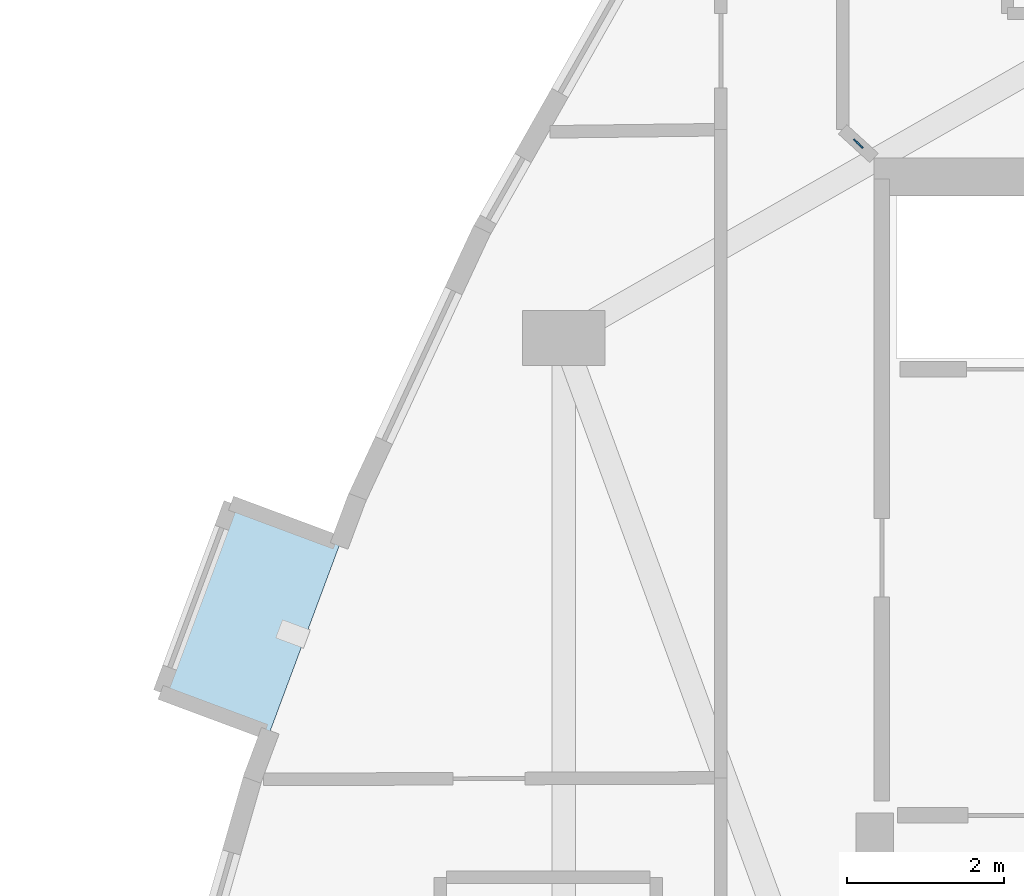
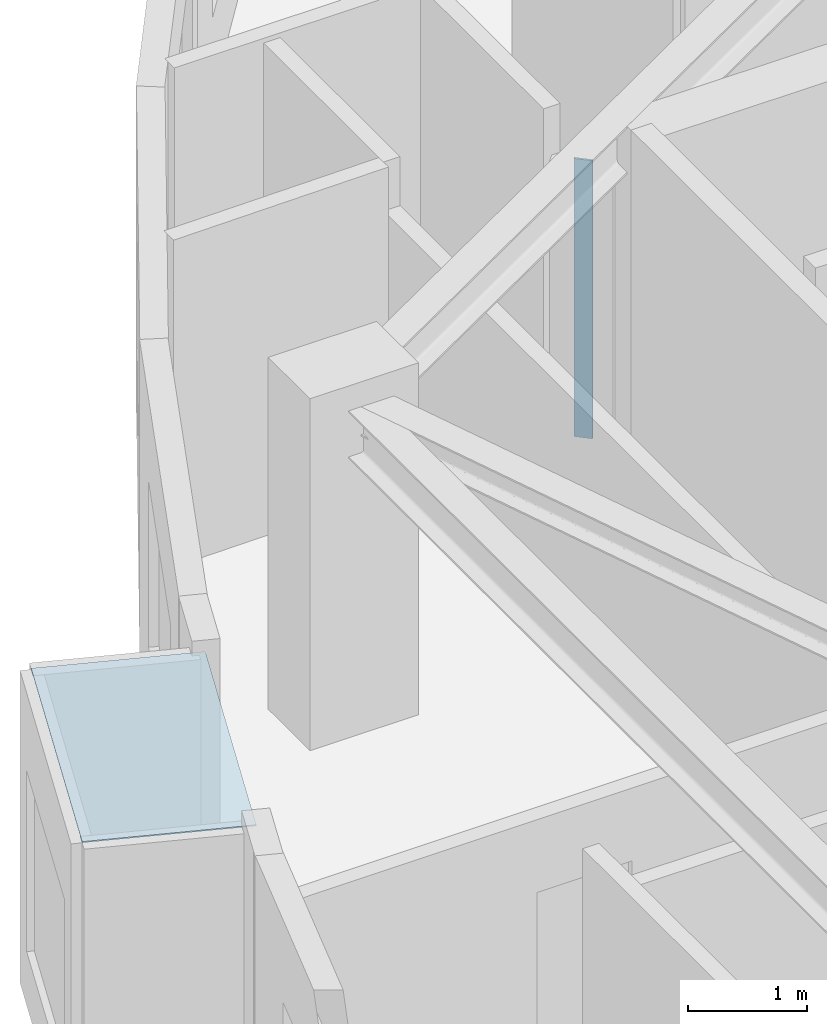
# One storey, part 8 of 15: 2 plates.
"""IFC4 building model written with IfcOpenShell, lengths in metres."""

from ifc_helpers import new_model, si_unit, direction, frame, origin, origin_2d, place, context, subcontext, project, spatial, polyline, rectangle, outline, extrude, material, layer, layer_set, type_object, element, save


model = new_model("IFC4")

# Units and contexts
model_context = context("Model", 3, precision=1e-05, world=origin(), true_north=direction((0.0, 1.0)))
body_context = subcontext(model_context, "Body", "Model", "MODEL_VIEW")
ifc_project = project(units=[si_unit("LENGTHUNIT", "METRE"), si_unit("AREAUNIT", "SQUARE_METRE"), si_unit("VOLUMEUNIT", "CUBIC_METRE"), si_unit("PLANEANGLEUNIT", "RADIAN"), si_unit("MASSUNIT", "GRAM", prefix="KILO")], contexts=[model_context])

# Site, building, storey
site_placement = place(None, origin())
site = spatial("IfcSite", under=ifc_project, at=site_placement, CompositionType="ELEMENT")
building_placement = place(site_placement, origin())
building = spatial("IfcBuilding", under=site, at=building_placement, Name="Miruveldt Soraemaru", CompositionType="ELEMENT")
storey_placement = place(building_placement, frame((0.0, 0.0, 234.0)))
storey = spatial("IfcBuildingStorey", under=building, at=storey_placement, Name="L64", CompositionType="ELEMENT", Elevation=234.0)

# Plates
ifc_material_1 = material(Name="Anodised aluminium EN AW-6063 T6", Category="aluminium")
ifc_layer_1 = layer(ifc_material_1, 0.02001953125, Name="Anodised aluminium EN AW-6063 T6", Category="aluminium")
ifc_layer_set_1 = layer_set([ifc_layer_1], Name="Anodised aluminium EN AW-6063 T6")
plate_type_1 = type_object("IfcPlateType", Name="PLT-PART-TRIM", PredefinedType="SHEET", material=ifc_layer_set_1)
plate_1_placement = place(storey_placement, frame((35.14990234375, 52.87255859375, 0.0), z_axis=(0.0, 0.0, 1.0), x_axis=(0.738690671568, -0.674044576967, 0.0)))
element("IfcPlate", 1, at=plate_1_placement, inside=storey, type_object=plate_type_1, Name="L64 Partition Step Corner Trim Plate 001", PredefinedType="SHEET", context=body_context, shape_type="SweptSolid", body=[
    extrude(rectangle(XDim=0.159912109375, YDim=0.02001953125, at=origin_2d()), origin(), (0.0, 0.0, 1.0), 2.844970703125),
])
ifc_material_2 = material(Name="Standing-seam titanium-zinc sheet", Category="aluminium")
ifc_layer_2 = layer(ifc_material_2, 0.011962890625, Name="Standing-seam titanium-zinc sheet", Category="aluminium")
ifc_layer_set_2 = layer_set([ifc_layer_2], Name="Standing-seam titanium-zinc sheet")
plate_type_2 = type_object("IfcPlateType", Name="PLT-ZINC-12", PredefinedType="SHEET", material=ifc_layer_set_2)
plate_2_placement = place(storey_placement, frame((0.0, 0.0, 3.195068359375)))
element("IfcPlate", 2, at=plate_2_placement, inside=storey, type_object=plate_type_2, Name="L64 Bay Window Zinc Hood Sheet 3", PredefinedType="SHEET", context=body_context, shape_type="SweptSolid", body=[
    extrude(outline(polyline([(28.551025390625, 47.7783203125), (27.65380859375, 45.369873046875), (26.26708984375, 45.886474609375), (27.1640625, 48.294921875), (28.551025390625, 47.7783203125)])), origin(), (0.0, 0.0, 1.0), 0.011962890625),
])

save(model, "model.ifc")
